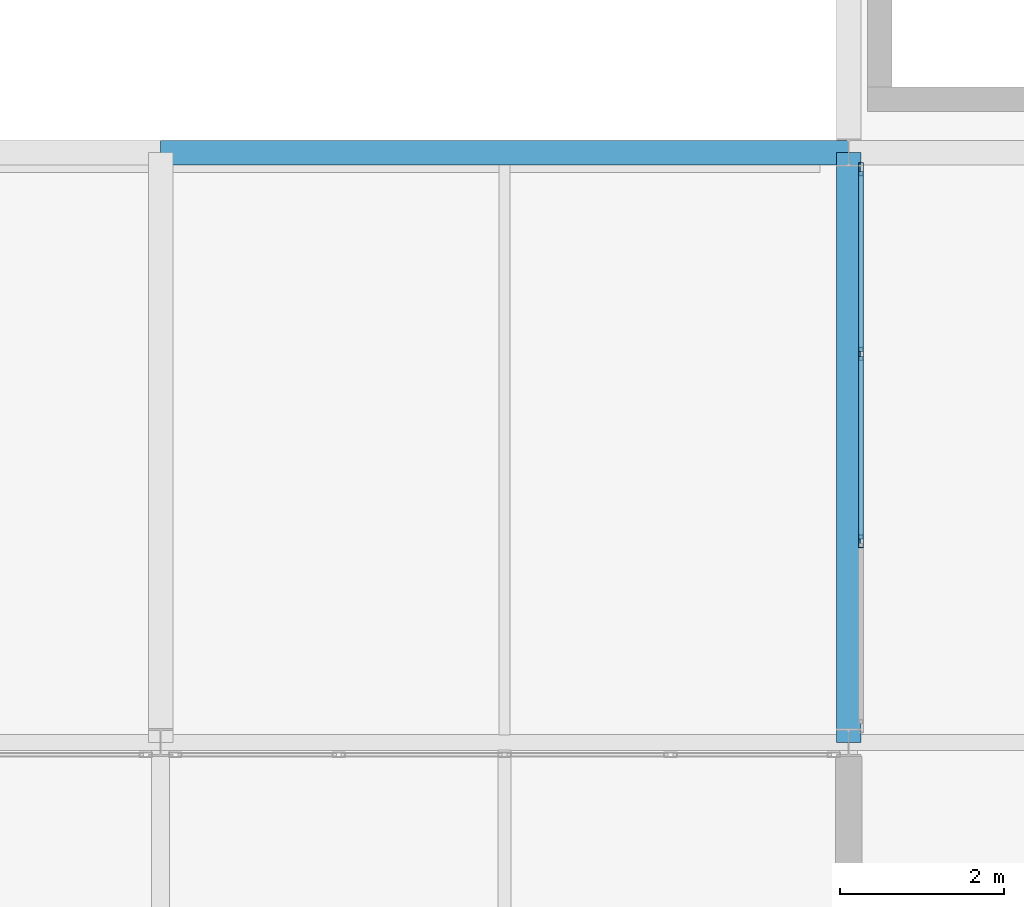
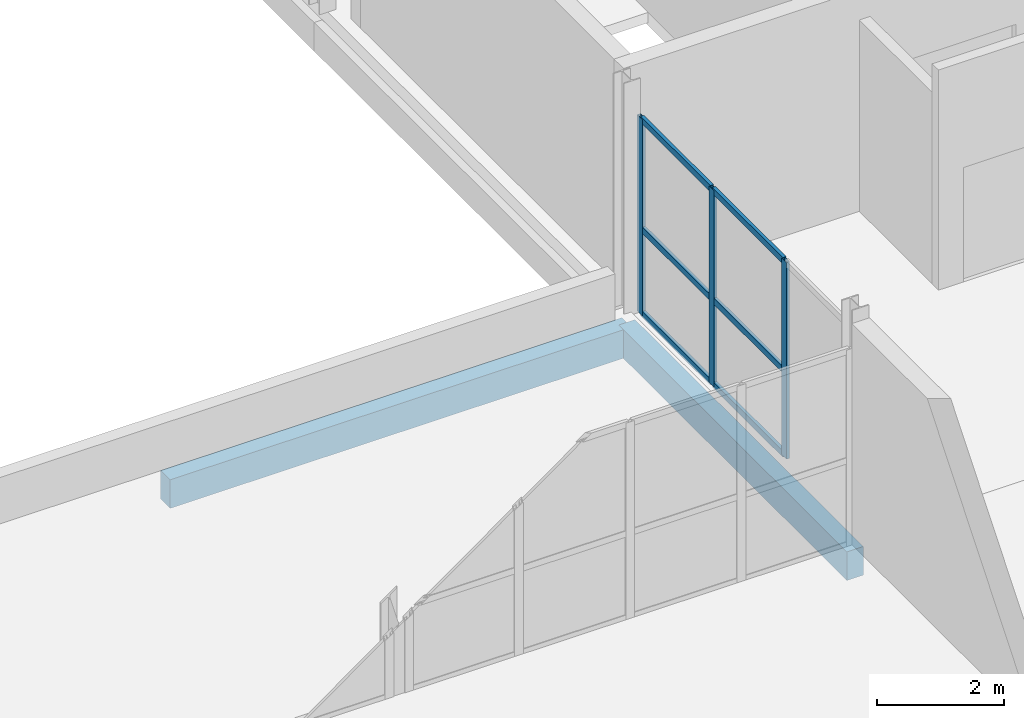
# One storey, part 55 of 103: 9 members, 2 beams, 1 element without a shape of its own.
"""IFC4 building model written with IfcOpenShell, lengths in metres."""

from ifc_helpers import new_model, si_unit, direction, frame, origin, origin_2d, place, context, subcontext, project, spatial, rectangle, hollow_rectangle, extrude, material, material_profile, profile_set, type_object, element, aggregate, save


model = new_model("IFC4")

# Units and contexts
model_context = context("Model", 3, precision=1e-05, world=origin(), true_north=direction((0.0, 1.0)))
body_context = subcontext(model_context, "Body", "Model", "MODEL_VIEW")
ifc_project = project(units=[si_unit("LENGTHUNIT", "METRE"), si_unit("AREAUNIT", "SQUARE_METRE"), si_unit("VOLUMEUNIT", "CUBIC_METRE"), si_unit("PLANEANGLEUNIT", "RADIAN"), si_unit("MASSUNIT", "GRAM", prefix="KILO")], contexts=[model_context])

# Site, building, storey
site_placement = place(None, origin())
site = spatial("IfcSite", under=ifc_project, at=site_placement, CompositionType="ELEMENT")
building_placement = place(site_placement, origin())
building = spatial("IfcBuilding", under=site, at=building_placement, Name="Veltarok Museum of Natural Sciences", CompositionType="ELEMENT")
storey_placement = place(building_placement, frame((0.0, 0.0, 21.89990234375)))
storey = spatial("IfcBuildingStorey", under=building, at=storey_placement, Name="L04", CompositionType="ELEMENT", Elevation=21.89990234375)

# Curtain wall, members
ifc_material_1 = material(Name="Low-iron triple insulated glass", Category="glass")
curtain_wall_type = type_object("IfcCurtainWallType", Name="Curtain Wall System CW-V5CW-L04-2-686x378 (CW-V5CW L04 686x378cm)", PredefinedType="NOTDEFINED", material=ifc_material_1)
curtain_wall_placement = place(storey_placement, origin())
curtain_wall = element("IfcCurtainWall", 1, at=curtain_wall_placement, inside=storey, type_object=curtain_wall_type, Name="Curtain Wall CW-V5CW-L04-2-686x378 CW-0182", PredefinedType="NOTDEFINED")
ifc_material_2 = material(Name="Thermally broken anodised aluminium", Category="aluminium")
ifc_material_profile_1 = material_profile(ifc_material_2, hollow_rectangle(XDim=0.06005859375, YDim=0.1201171875, WallThickness=0.0048828125, at=origin_2d()), Name="CW TRANSOM 60x120x5")
ifc_profile_set_1 = profile_set([ifc_material_profile_1], Name="Thermally broken anodised aluminium")
member_type_1 = type_object("IfcMemberType", Name="Curtain Wall Horizontal Transom 60x120x5", PredefinedType="USERDEFINED", material=ifc_profile_set_1)
member_1_placement = place(storey_placement, frame((132.550048828125, 21.686767578125, 0.028076171875), z_axis=(0.0, 1.0, 0.0), x_axis=(-1.0, 0.0, 0.0)))
member_1 = element("IfcMember", 2, at=member_1_placement, type_object=member_type_1, Name="CW-V5CW-L04-2-686x378 transom 2.1", ObjectType="TRANSOM", PredefinedType="USERDEFINED", context=body_context, shape_type="SweptSolid", body=[
    extrude(hollow_rectangle(XDim=0.06005859375, YDim=0.1201171875, WallThickness=0.0048828125, at=origin_2d()), origin(), (0.0, 0.0, 1.0), 2.2265625),
])
member_2_placement = place(storey_placement, frame((132.550048828125, 21.686767578125, 1.648193359375), z_axis=(0.0, 1.0, 0.0), x_axis=(-1.0, 0.0, 0.0)))
member_2 = element("IfcMember", 3, at=member_2_placement, type_object=member_type_1, Name="CW-V5CW-L04-2-686x378 transom 2.2", ObjectType="TRANSOM", PredefinedType="USERDEFINED", context=body_context, shape_type="SweptSolid", body=[
    extrude(hollow_rectangle(XDim=0.06005859375, YDim=0.1201171875, WallThickness=0.0048828125, at=origin_2d()), origin(), (0.0, 0.0, 1.0), 2.2265625),
])
member_3_placement = place(storey_placement, frame((132.550048828125, 21.686767578125, 3.75), z_axis=(0.0, 1.0, 0.0), x_axis=(-1.0, 0.0, 0.0)))
member_3 = element("IfcMember", 4, at=member_3_placement, type_object=member_type_1, Name="CW-V5CW-L04-2-686x378 transom 2.3", ObjectType="TRANSOM", PredefinedType="USERDEFINED", context=body_context, shape_type="SweptSolid", body=[
    extrude(hollow_rectangle(XDim=0.06005859375, YDim=0.1201171875, WallThickness=0.0048828125, at=origin_2d()), origin(), (0.0, 0.0, 1.0), 2.2265625),
])
member_4_placement = place(storey_placement, frame((132.550048828125, 23.973388671875, 0.028076171875), z_axis=(0.0, 1.0, 0.0), x_axis=(-1.0, 0.0, 0.0)))
member_4 = element("IfcMember", 5, at=member_4_placement, type_object=member_type_1, Name="CW-V5CW-L04-2-686x378 transom 3.1", ObjectType="TRANSOM", PredefinedType="USERDEFINED", context=body_context, shape_type="SweptSolid", body=[
    extrude(hollow_rectangle(XDim=0.06005859375, YDim=0.1201171875, WallThickness=0.0048828125, at=origin_2d()), origin(), (0.0, 0.0, 1.0), 2.196533203125),
])
member_5_placement = place(storey_placement, frame((132.550048828125, 23.973388671875, 1.648193359375), z_axis=(0.0, 1.0, 0.0), x_axis=(-1.0, 0.0, 0.0)))
member_5 = element("IfcMember", 6, at=member_5_placement, type_object=member_type_1, Name="CW-V5CW-L04-2-686x378 transom 3.2", ObjectType="TRANSOM", PredefinedType="USERDEFINED", context=body_context, shape_type="SweptSolid", body=[
    extrude(hollow_rectangle(XDim=0.06005859375, YDim=0.1201171875, WallThickness=0.0048828125, at=origin_2d()), origin(), (0.0, 0.0, 1.0), 2.196533203125),
])
member_6_placement = place(storey_placement, frame((132.550048828125, 23.973388671875, 3.75), z_axis=(0.0, 1.0, 0.0), x_axis=(-1.0, 0.0, 0.0)))
member_6 = element("IfcMember", 7, at=member_6_placement, type_object=member_type_1, Name="CW-V5CW-L04-2-686x378 transom 3.3", ObjectType="TRANSOM", PredefinedType="USERDEFINED", context=body_context, shape_type="SweptSolid", body=[
    extrude(hollow_rectangle(XDim=0.06005859375, YDim=0.1201171875, WallThickness=0.0048828125, at=origin_2d()), origin(), (0.0, 0.0, 1.0), 2.196533203125),
])
ifc_material_profile_2 = material_profile(ifc_material_2, hollow_rectangle(XDim=0.06005859375, YDim=0.159912109375, WallThickness=0.0048828125, at=origin_2d()), Name="CW MULLION 60x160x5")
ifc_profile_set_2 = profile_set([ifc_material_profile_2], Name="Thermally broken anodised aluminium")
member_type_2 = type_object("IfcMemberType", Name="Curtain Wall Vertical Mullion 60x160x5", PredefinedType="MULLION", material=ifc_profile_set_2)
member_7_placement = place(storey_placement, frame((132.550048828125, 21.65673828125, -0.001953125), z_axis=(0.0, 0.0, 1.0), x_axis=(-1.0, 0.0, 0.0)))
member_7 = element("IfcMember", 8, at=member_7_placement, type_object=member_type_2, Name="CW-V5CW-L04-2-686x378 mullion 2", PredefinedType="MULLION", context=body_context, shape_type="SweptSolid", body=[
    extrude(hollow_rectangle(XDim=0.06005859375, YDim=0.159912109375, WallThickness=0.0048828125, at=origin_2d()), origin(), (0.0, 0.0, 1.0), 3.781982421875),
])
member_8_placement = place(storey_placement, frame((132.550048828125, 23.943359375, -0.001953125), z_axis=(0.0, 0.0, 1.0), x_axis=(-1.0, 0.0, 0.0)))
member_8 = element("IfcMember", 9, at=member_8_placement, type_object=member_type_2, Name="CW-V5CW-L04-2-686x378 mullion 3", PredefinedType="MULLION", context=body_context, shape_type="SweptSolid", body=[
    extrude(hollow_rectangle(XDim=0.06005859375, YDim=0.159912109375, WallThickness=0.0048828125, at=origin_2d()), origin(), (0.0, 0.0, 1.0), 3.781982421875),
])
member_9_placement = place(storey_placement, frame((132.550048828125, 26.199951171875, -0.001953125), z_axis=(0.0, 0.0, 1.0), x_axis=(-1.0, 0.0, 0.0)))
member_9 = element("IfcMember", 10, at=member_9_placement, type_object=member_type_2, Name="CW-V5CW-L04-2-686x378 mullion 4", PredefinedType="MULLION", context=body_context, shape_type="SweptSolid", body=[
    extrude(hollow_rectangle(XDim=0.06005859375, YDim=0.159912109375, WallThickness=0.0048828125, at=origin_2d()), origin(), (0.0, 0.0, 1.0), 3.781982421875),
])
aggregate(curtain_wall, [member_7, member_8, member_9, member_1, member_2, member_3, member_4, member_5, member_6])

# Beams
ifc_material_3 = material(Name="Precast concrete C40/50", Category="concrete")
ifc_material_profile_3 = material_profile(ifc_material_3, rectangle(XDim=0.300048828125, YDim=0.550048828125, at=origin_2d()), Name="RC 300x550")
ifc_profile_set_3 = profile_set([ifc_material_profile_3], Name="Precast concrete C40/50")
beam_type = type_object("IfcBeamType", Name="East Wing Precast Spandrel RC 300x550", PredefinedType="SPANDREL", material=ifc_profile_set_3)
beam_1_placement = place(storey_placement, frame((124.0, 26.39990234375, -0.52490234375), z_axis=(1.0, 0.0, 0.0), x_axis=(0.0, 1.0, 0.0)))
element("IfcBeam", 11, at=beam_1_placement, inside=storey, type_object=beam_type, Name="Beam BM-SP02 L04 15-16/D", PredefinedType="SPANDREL", context=body_context, shape_type="SweptSolid", body=[
    extrude(rectangle(XDim=0.300048828125, YDim=0.550048828125, at=origin_2d()), origin(), (0.0, 0.0, 1.0), 8.39990234375),
])
beam_2_placement = place(storey_placement, frame((132.39990234375, 19.199951171875, -0.52490234375), z_axis=(0.0, 1.0, 0.0), x_axis=(-1.0, 0.0, 0.0)))
element("IfcBeam", 12, at=beam_2_placement, inside=storey, type_object=beam_type, Name="Beam BM-SP02 L04 16/C-D", PredefinedType="SPANDREL", context=body_context, shape_type="SweptSolid", body=[
    extrude(rectangle(XDim=0.300048828125, YDim=0.550048828125, at=origin_2d()), origin(), (0.0, 0.0, 1.0), 7.199951171875),
])

save(model, "model.ifc")
